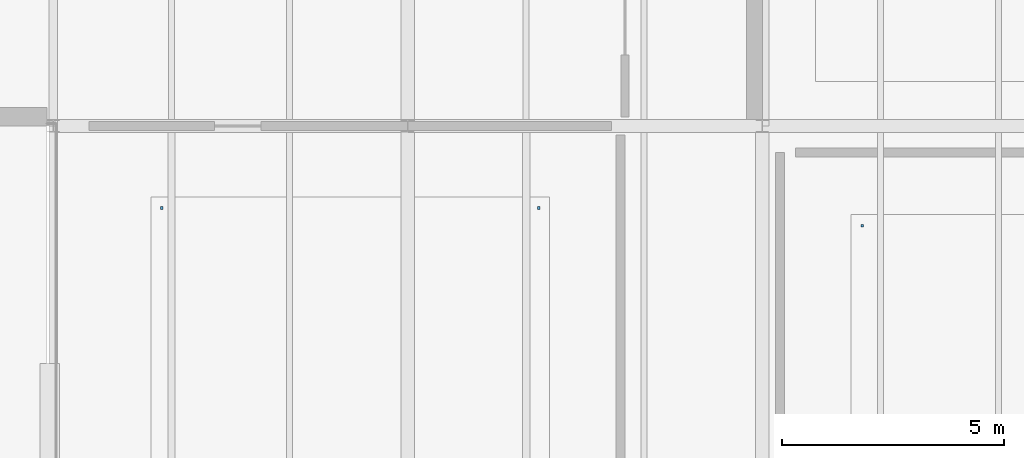
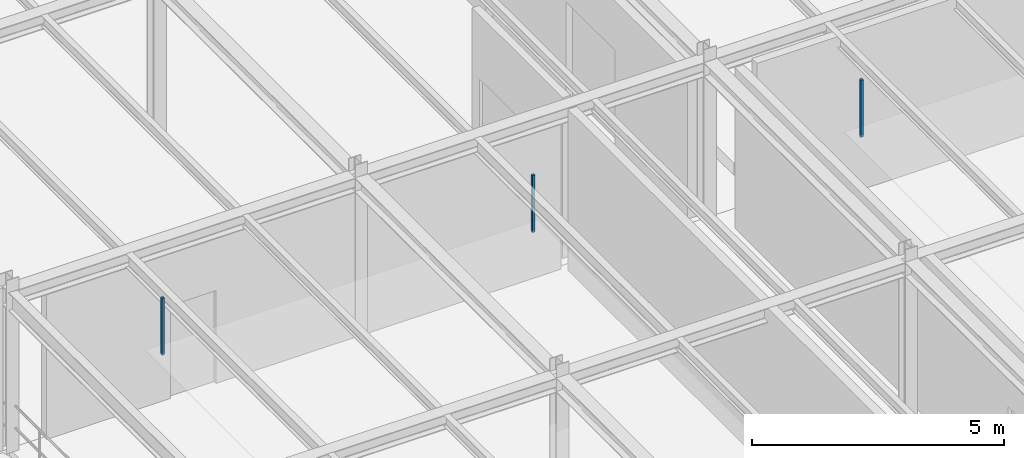
# One storey, part 105 of 124: 3 discrete accessories.
"""IFC4 building model written with IfcOpenShell, lengths in metres."""

from ifc_helpers import new_model, si_unit, direction, frame, origin, origin_2d, place, context, subcontext, project, spatial, rectangle, extrude, material, type_object, element, save


model = new_model("IFC4")

# Units and contexts
model_context = context("Model", 3, precision=1e-05, world=origin(), true_north=direction((0.0, 1.0)))
body_context = subcontext(model_context, "Body", "Model", "MODEL_VIEW")
ifc_project = project(units=[si_unit("LENGTHUNIT", "METRE"), si_unit("AREAUNIT", "SQUARE_METRE"), si_unit("VOLUMEUNIT", "CUBIC_METRE"), si_unit("PLANEANGLEUNIT", "RADIAN"), si_unit("MASSUNIT", "GRAM", prefix="KILO")], contexts=[model_context])

# Site, building, storey
site_placement = place(None, origin())
site = spatial("IfcSite", under=ifc_project, at=site_placement, CompositionType="ELEMENT")
building_placement = place(site_placement, origin())
building = spatial("IfcBuilding", under=site, at=building_placement, Name="Sundkrona Museum", CompositionType="ELEMENT")
storey_placement = place(building_placement, frame((0.0, 0.0, 17.60009765625)))
storey = spatial("IfcBuildingStorey", under=building, at=storey_placement, Name="L03", CompositionType="ELEMENT", Elevation=17.60009765625)

# Discrete accessories
ifc_material = material(Name="Stainless Steel EN 1.4404 Cleat", Category="steel")
discrete_accessory_type = type_object("IfcDiscreteAccessoryType", Name="BRK-FIN-01", PredefinedType="BRACKET", material=ifc_material)
for number, where, z_axis, x_axis, name in (
    (1, (146.949951171875, 92.14990234375, 2.550048828125), (0.0, 0.0, 1.0), (1.0, 0.0, 0.0), "L03 Paper and Parchment Restoration Studio Ceiling Hanger 3"),
    (2, (138.449951171875, 92.14990234375, 2.550048828125), (0.0, 0.0, 1.0), (1.0, 0.0, 0.0), "L03 Paper and Parchment Restoration Studio Ceiling Hanger 4"),
    (3, (154.25, 91.75, 2.550048828125), (0.0, 0.0, 1.0), (1.0, 0.0, 0.0), "L03 Imaging and Photogrammetry Studio Ceiling Hanger 4"),
):
    element("IfcDiscreteAccessory", number, at=place(storey_placement, frame(where, z_axis=z_axis, x_axis=x_axis)), inside=storey, type_object=discrete_accessory_type, Name=name, PredefinedType="BRACKET", context=body_context, shape_type="SweptSolid", body=[
        extrude(rectangle(XDim=0.06005859375, YDim=0.06005859375, at=origin_2d()), origin(), (0.0, 0.0, 1.0), 1.3798828125),
    ])

save(model, "model.ifc")
